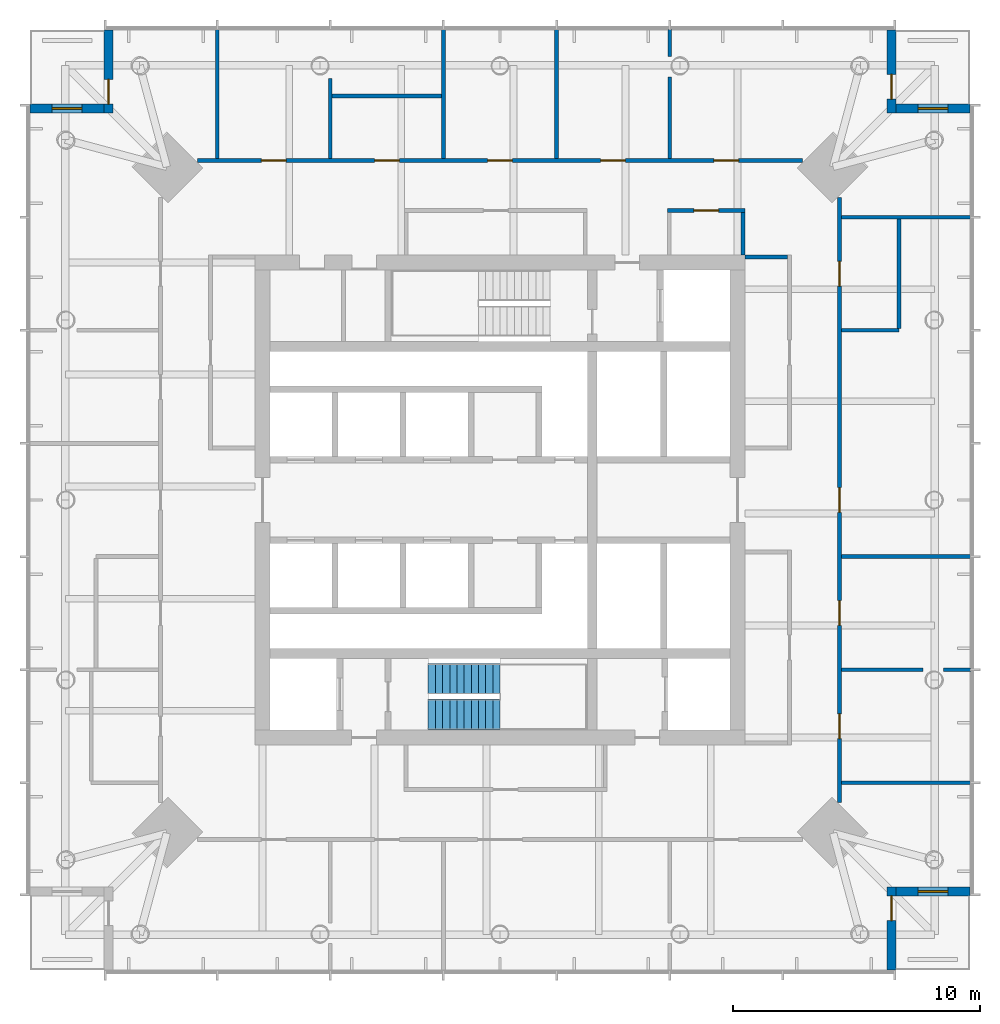
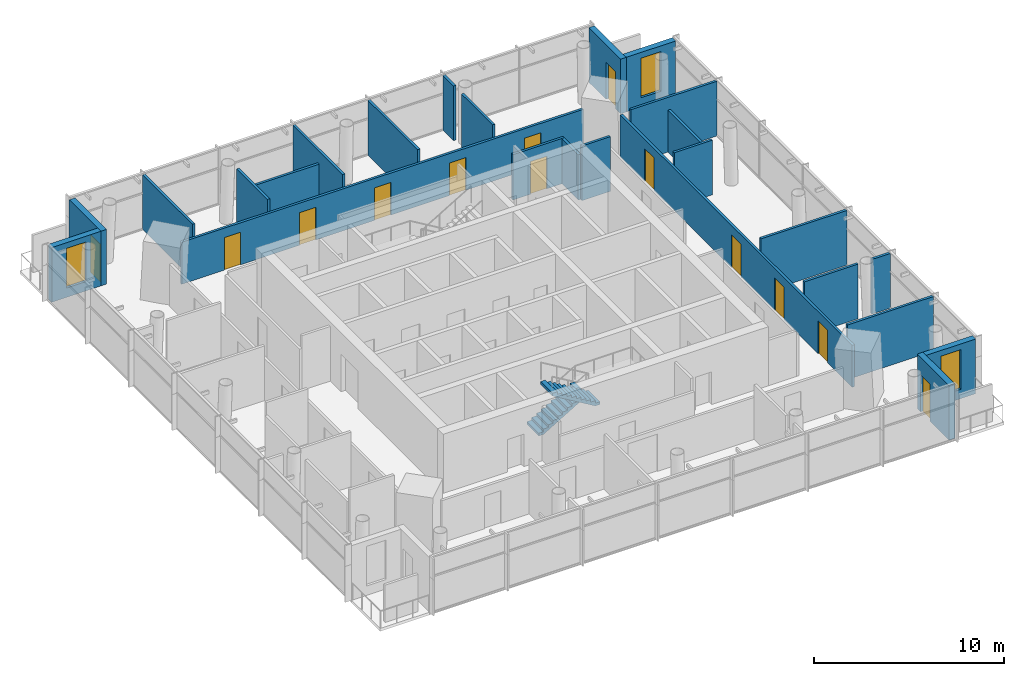
# One storey, part 8 of 10: 25 walls, 13 doors, 3 windows, 2 stair flights, 16 openings, 1 element without a shape of its own.
"""IFC4 building model written with IfcOpenShell, lengths in metres."""

from ifc_helpers import new_model, si_unit, direction, frame, frame_2d, origin, place, context, subcontext, project, spatial, polyline, rectangle, outline, extrude, material, layer, layer_set, type_object, element, fill, aggregate, save


model = new_model("IFC4")

# Units and contexts
model_context = context("Model", 3, precision=1e-05, world=origin(), true_north=direction((0.0, 1.0)))
body_context = subcontext(model_context, "Body", "Model", "MODEL_VIEW")
ifc_project = project(units=[si_unit("LENGTHUNIT", "METRE"), si_unit("AREAUNIT", "SQUARE_METRE"), si_unit("VOLUMEUNIT", "CUBIC_METRE"), si_unit("PLANEANGLEUNIT", "RADIAN"), si_unit("MASSUNIT", "GRAM", prefix="KILO")], contexts=[model_context])

# Site, building, storey
site_placement = place(None, origin())
site = spatial("IfcSite", under=ifc_project, at=site_placement, CompositionType="ELEMENT")
building_placement = place(site_placement, origin())
building = spatial("IfcBuilding", under=site, at=building_placement, Name="Ostroluk Exchange", CompositionType="ELEMENT")
storey_placement = place(building_placement, frame((0.0, 0.0, 222.39990234375)))
storey = spatial("IfcBuildingStorey", under=building, at=storey_placement, Name="L57", CompositionType="ELEMENT", Elevation=222.39990234375)

# Wall, opening, door
ifc_material_1 = material(Name="Limestone", Category="masonry")
ifc_layer_1 = layer(ifc_material_1, 0.35009765625)
ifc_layer_set_1 = layer_set([ifc_layer_1], Name="Limestone facade wall 350")
wall_type_1 = type_object("IfcWallType", Name="Limestone facade wall 350", PredefinedType="SOLIDWALL", material=ifc_layer_set_1)
wall_1_placement = place(storey_placement, frame((60.824951171875, 27.0, 0.0), z_axis=(0.0, 0.0, 1.0), x_axis=(0.0, 1.0, 0.0)))
wall_1 = element("IfcWall", 1, at=wall_1_placement, inside=storey, type_object=wall_type_1, Name="Office tower SE corner wall L57 a", PredefinedType="SOLIDWALL", context=body_context, shape_type="SweptSolid", body=[
    extrude(rectangle(XDim=3.35009765625, YDim=0.35009765625, at=frame_2d((1.675048828125, 0.0))), origin(), (0.0, 0.0, 1.0), 3.52001953125),
])
opening_1_placement = place(wall_1_placement, frame((2.0, 0.0, 0.0)))
opening_1 = element("IfcOpeningElement", 2, at=opening_1_placement, cuts=wall_1, Name="Opening D-B1", PredefinedType="OPENING", context=body_context, shape_type="SweptSolid", body=[
    extrude(rectangle(XDim=1.0, YDim=2.39990234375, at=frame_2d((0.5, 1.199951171875))), frame((0.0, 0.18505859375, 0.0), z_axis=(0.0, -1.0, 0.0), x_axis=(1.0, 0.0, 0.0)), (0.0, 0.0, 1.0), 0.3701171875),
])
ifc_material_2 = material(Name="Bronze framed glazed door", Category="aluminium")
door_type_1 = type_object("IfcDoorType", Name="Balcony door 1000 x 2400", OperationType="SINGLE_SWING_LEFT", PredefinedType="DOOR", material=ifc_material_2)
door_1_placement = place(opening_1_placement, origin())
door_1 = element("IfcDoor", 3, at=door_1_placement, inside=storey, type_object=door_type_1, Name="Office tower SE balcony door L57", OperationType="SINGLE_SWING_RIGHT", OverallHeight=2.39990234375, OverallWidth=1.0, PredefinedType="DOOR", context=body_context, shape_type="SweptSolid", body=[
    extrude(rectangle(XDim=1.0, YDim=2.39990234375, at=frame_2d((0.5, 1.199951171875))), frame((0.0, 0.02490234375, 0.0), z_axis=(0.0, -1.0, 0.0), x_axis=(1.0, 0.0, 0.0)), (0.0, 0.0, 1.0), 0.050048828125),
])
fill(opening_1, door_1)

# Wall, opening, window
wall_2_placement = place(storey_placement, frame((61.0, 30.175048828125, 0.0), z_axis=(0.0, 0.0, 1.0), x_axis=(1.0, 0.0, 0.0)))
wall_2 = element("IfcWall", 4, at=wall_2_placement, inside=storey, type_object=wall_type_1, Name="Office tower SE corner wall L57 b", PredefinedType="SOLIDWALL", context=body_context, shape_type="SweptSolid", body=[
    extrude(rectangle(XDim=3.0, YDim=0.35009765625, at=frame_2d((1.5, 0.0))), origin(), (0.0, 0.0, 1.0), 3.52001953125),
])
opening_2_placement = place(wall_2_placement, frame((0.89990234375, 0.0, 0.60009765625)))
opening_2 = element("IfcOpeningElement", 5, at=opening_2_placement, cuts=wall_2, Name="Opening WN-L1", PredefinedType="OPENING", context=body_context, shape_type="SweptSolid", body=[
    extrude(rectangle(XDim=1.199951171875, YDim=2.550048828125, at=frame_2d((0.60009765625, 1.27490234375))), frame((0.0, 0.18505859375, 0.0), z_axis=(0.0, -1.0, 0.0), x_axis=(1.0, 0.0, 0.0)), (0.0, 0.0, 1.0), 0.3701171875),
])
ifc_material_3 = material(Name="Laminated clear glass", Category="glass")
window_type = type_object("IfcWindowType", Name="Lancet window 1200 x 2550", PartitioningType="SINGLE_PANEL", PredefinedType="WINDOW", material=ifc_material_3)
window_1_placement = place(opening_2_placement, origin())
window_1 = element("IfcWindow", 6, at=window_1_placement, inside=storey, type_object=window_type, Name="Office tower SE lancet window L57", OverallHeight=2.550048828125, OverallWidth=1.199951171875, PartitioningType="SINGLE_PANEL", PredefinedType="WINDOW", context=body_context, shape_type="SweptSolid", body=[
    extrude(rectangle(XDim=1.199951171875, YDim=2.550048828125, at=frame_2d((0.60009765625, 1.27490234375))), frame((0.0, 0.030029296875, 0.0), z_axis=(0.0, -1.0, 0.0), x_axis=(1.0, 0.0, 0.0)), (0.0, 0.0, 1.0), 0.06005859375),
])
fill(opening_2, window_1)

# Wall, opening, door
wall_3_placement = place(storey_placement, frame((60.824951171875, 65.0, 0.0), z_axis=(0.0, 0.0, 1.0), x_axis=(0.0, -1.0, 0.0)))
wall_3 = element("IfcWall", 7, at=wall_3_placement, inside=storey, type_object=wall_type_1, Name="Office tower NE corner wall L57 a", PredefinedType="SOLIDWALL", context=body_context, shape_type="SweptSolid", body=[
    extrude(rectangle(XDim=3.35009765625, YDim=0.35009765625, at=frame_2d((1.675048828125, 0.0))), origin(), (0.0, 0.0, 1.0), 3.52001953125),
])
opening_3_placement = place(wall_3_placement, frame((1.800048828125, 0.0, 0.0)))
opening_3 = element("IfcOpeningElement", 8, at=opening_3_placement, cuts=wall_3, Name="Opening D-B1", PredefinedType="OPENING", context=body_context, shape_type="SweptSolid", body=[
    extrude(rectangle(XDim=1.0, YDim=2.39990234375, at=frame_2d((0.5, 1.199951171875))), frame((0.0, 0.18505859375, 0.0), z_axis=(0.0, -1.0, 0.0), x_axis=(1.0, 0.0, 0.0)), (0.0, 0.0, 1.0), 0.3701171875),
])
door_2_placement = place(opening_3_placement, origin())
door_2 = element("IfcDoor", 9, at=door_2_placement, inside=storey, type_object=door_type_1, Name="Office tower NE balcony door L57", OperationType="SINGLE_SWING_RIGHT", OverallHeight=2.39990234375, OverallWidth=1.0, PredefinedType="DOOR", context=body_context, shape_type="SweptSolid", body=[
    extrude(rectangle(XDim=1.0, YDim=2.39990234375, at=frame_2d((0.5, 1.199951171875))), frame((0.0, 0.02490234375, 0.0), z_axis=(0.0, -1.0, 0.0), x_axis=(1.0, 0.0, 0.0)), (0.0, 0.0, 1.0), 0.050048828125),
])
fill(opening_3, door_2)

# Wall, opening, window
wall_4_placement = place(storey_placement, frame((61.0, 61.824951171875, 0.0), z_axis=(0.0, 0.0, 1.0), x_axis=(1.0, 0.0, 0.0)))
wall_4 = element("IfcWall", 10, at=wall_4_placement, inside=storey, type_object=wall_type_1, Name="Office tower NE corner wall L57 b", PredefinedType="SOLIDWALL", context=body_context, shape_type="SweptSolid", body=[
    extrude(rectangle(XDim=3.0, YDim=0.35009765625, at=frame_2d((1.5, 0.0))), origin(), (0.0, 0.0, 1.0), 3.52001953125),
])
opening_4_placement = place(wall_4_placement, frame((0.89990234375, 0.0, 0.60009765625)))
opening_4 = element("IfcOpeningElement", 11, at=opening_4_placement, cuts=wall_4, Name="Opening WN-L1", PredefinedType="OPENING", context=body_context, shape_type="SweptSolid", body=[
    extrude(rectangle(XDim=1.199951171875, YDim=2.550048828125, at=frame_2d((0.60009765625, 1.27490234375))), frame((0.0, 0.18505859375, 0.0), z_axis=(0.0, -1.0, 0.0), x_axis=(1.0, 0.0, 0.0)), (0.0, 0.0, 1.0), 0.3701171875),
])
window_2_placement = place(opening_4_placement, origin())
window_2 = element("IfcWindow", 12, at=window_2_placement, inside=storey, type_object=window_type, Name="Office tower NE lancet window L57", OverallHeight=2.550048828125, OverallWidth=1.199951171875, PartitioningType="SINGLE_PANEL", PredefinedType="WINDOW", context=body_context, shape_type="SweptSolid", body=[
    extrude(rectangle(XDim=1.199951171875, YDim=2.550048828125, at=frame_2d((0.60009765625, 1.27490234375))), frame((0.0, 0.030029296875, 0.0), z_axis=(0.0, -1.0, 0.0), x_axis=(1.0, 0.0, 0.0)), (0.0, 0.0, 1.0), 0.06005859375),
])
fill(opening_4, window_2)

# Wall, opening, door
wall_5_placement = place(storey_placement, frame((29.175048828125, 65.0, 0.0), z_axis=(0.0, 0.0, 1.0), x_axis=(0.0, -1.0, 0.0)))
wall_5 = element("IfcWall", 13, at=wall_5_placement, inside=storey, type_object=wall_type_1, Name="Office tower NW corner wall L57 a", PredefinedType="SOLIDWALL", context=body_context, shape_type="SweptSolid", body=[
    extrude(rectangle(XDim=3.35009765625, YDim=0.35009765625, at=frame_2d((1.675048828125, 0.0))), origin(), (0.0, 0.0, 1.0), 3.52001953125),
])
opening_5_placement = place(wall_5_placement, frame((2.0, 0.0, 0.0)))
opening_5 = element("IfcOpeningElement", 14, at=opening_5_placement, cuts=wall_5, Name="Opening D-B1", PredefinedType="OPENING", context=body_context, shape_type="SweptSolid", body=[
    extrude(rectangle(XDim=1.0, YDim=2.39990234375, at=frame_2d((0.5, 1.199951171875))), frame((0.0, 0.18505859375, 0.0), z_axis=(0.0, -1.0, 0.0), x_axis=(1.0, 0.0, 0.0)), (0.0, 0.0, 1.0), 0.3701171875),
])
door_3_placement = place(opening_5_placement, origin())
door_3 = element("IfcDoor", 15, at=door_3_placement, inside=storey, type_object=door_type_1, Name="Office tower NW balcony door L57", OperationType="SINGLE_SWING_RIGHT", OverallHeight=2.39990234375, OverallWidth=1.0, PredefinedType="DOOR", context=body_context, shape_type="SweptSolid", body=[
    extrude(rectangle(XDim=1.0, YDim=2.39990234375, at=frame_2d((0.5, 1.199951171875))), frame((0.0, 0.02490234375, 0.0), z_axis=(0.0, -1.0, 0.0), x_axis=(1.0, 0.0, 0.0)), (0.0, 0.0, 1.0), 0.050048828125),
])
fill(opening_5, door_3)

# Wall, opening, window
wall_6_placement = place(storey_placement, frame((29.0, 61.824951171875, 0.0), z_axis=(0.0, 0.0, 1.0), x_axis=(-1.0, 0.0, 0.0)))
wall_6 = element("IfcWall", 16, at=wall_6_placement, inside=storey, type_object=wall_type_1, Name="Office tower NW corner wall L57 b", PredefinedType="SOLIDWALL", context=body_context, shape_type="SweptSolid", body=[
    extrude(rectangle(XDim=3.0, YDim=0.35009765625, at=frame_2d((1.5, 0.0))), origin(), (0.0, 0.0, 1.0), 3.52001953125),
])
opening_6_placement = place(wall_6_placement, frame((0.89990234375, 0.0, 0.60009765625)))
opening_6 = element("IfcOpeningElement", 17, at=opening_6_placement, cuts=wall_6, Name="Opening WN-L1", PredefinedType="OPENING", context=body_context, shape_type="SweptSolid", body=[
    extrude(rectangle(XDim=1.199951171875, YDim=2.550048828125, at=frame_2d((0.60009765625, 1.27490234375))), frame((0.0, 0.18505859375, 0.0), z_axis=(0.0, -1.0, 0.0), x_axis=(1.0, 0.0, 0.0)), (0.0, 0.0, 1.0), 0.3701171875),
])
window_3_placement = place(opening_6_placement, origin())
window_3 = element("IfcWindow", 18, at=window_3_placement, inside=storey, type_object=window_type, Name="Office tower NW lancet window L57", OverallHeight=2.550048828125, OverallWidth=1.199951171875, PartitioningType="SINGLE_PANEL", PredefinedType="WINDOW", context=body_context, shape_type="SweptSolid", body=[
    extrude(rectangle(XDim=1.199951171875, YDim=2.550048828125, at=frame_2d((0.60009765625, 1.27490234375))), frame((0.0, 0.030029296875, 0.0), z_axis=(0.0, -1.0, 0.0), x_axis=(1.0, 0.0, 0.0)), (0.0, 0.0, 1.0), 0.06005859375),
])
fill(opening_6, window_3)

# Wall
ifc_material_4 = material(Name="Gypsum plasterboard partition", Category="gypsum")
ifc_layer_2 = layer(ifc_material_4, 0.14990234375)
ifc_layer_set_2 = layer_set([ifc_layer_2], Name="Plasterboard partition 150")
wall_type_2 = type_object("IfcWallType", Name="Plasterboard partition 150", PredefinedType="PARTITIONING", material=ifc_layer_set_2)
wall_7_placement = place(storey_placement, frame((54.89990234375, 55.824951171875, 0.0), z_axis=(0.0, 0.0, 1.0), x_axis=(1.0, 0.0, 0.0)))
element("IfcWall", 19, at=wall_7_placement, inside=storey, type_object=wall_type_2, Name="Partition", PredefinedType="PARTITIONING", context=body_context, shape_type="SweptSolid", body=[
    extrude(rectangle(XDim=1.72509765625, YDim=0.14990234375, at=frame_2d((0.862548828125, 0.0))), origin(), (0.0, 0.0, 1.0), 3.52001953125),
])

# Wall, opening, door
wall_8_placement = place(storey_placement, frame((54.89990234375, 57.699951171875, 0.0), z_axis=(0.0, 0.0, 1.0), x_axis=(-1.0, 0.0, 0.0)))
wall_8 = element("IfcWall", 20, at=wall_8_placement, inside=storey, type_object=wall_type_2, Name="Partition", PredefinedType="PARTITIONING", context=body_context, shape_type="SweptSolid", body=[
    extrude(rectangle(XDim=3.135009765625, YDim=0.14990234375, at=frame_2d((1.5673828125, 0.0))), origin(), (0.0, 0.0, 1.0), 2.920166015625),
])
opening_7_placement = place(wall_8_placement, frame((1.0673828125, 0.0, 0.0)))
opening_7 = element("IfcOpeningElement", 21, at=opening_7_placement, cuts=wall_8, Name="Opening D-03", PredefinedType="OPENING", context=body_context, shape_type="SweptSolid", body=[
    extrude(rectangle(XDim=1.0, YDim=2.10009765625, at=frame_2d((0.5, 1.050048828125))), frame((0.0, 0.0849609375, 0.0), z_axis=(0.0, -1.0, 0.0), x_axis=(1.0, 0.0, 0.0)), (0.0, 0.0, 1.0), 0.169921875),
])
ifc_material_5 = material(Name="Timber", Category="wood")
door_type_2 = type_object("IfcDoorType", Name="Internal door 1000 x 2100", OperationType="SINGLE_SWING_LEFT", PredefinedType="DOOR", material=ifc_material_5)
door_4_placement = place(opening_7_placement, origin())
door_4 = element("IfcDoor", 22, at=door_4_placement, inside=storey, type_object=door_type_2, Name="Quiet room door", OperationType="SINGLE_SWING_RIGHT", OverallHeight=2.10009765625, OverallWidth=1.0, PredefinedType="DOOR", context=body_context, shape_type="SweptSolid", body=[
    extrude(rectangle(XDim=1.0, YDim=2.10009765625, at=frame_2d((0.5, 1.050048828125))), frame((0.0, 0.02490234375, 0.0), z_axis=(0.0, -1.0, 0.0), x_axis=(1.0, 0.0, 0.0)), (0.0, 0.0, 1.0), 0.050048828125),
])
fill(opening_7, door_4)

# Walls
wall_9_placement = place(storey_placement, frame((54.824951171875, 55.89990234375, 0.0), z_axis=(0.0, 0.0, 1.0), x_axis=(0.0, 1.0, 0.0)))
element("IfcWall", 23, at=wall_9_placement, inside=storey, type_object=wall_type_2, Name="Partition", PredefinedType="PARTITIONING", context=body_context, shape_type="SweptSolid", body=[
    extrude(rectangle(XDim=1.72509765625, YDim=0.14990234375, at=frame_2d((0.862548828125, 0.0))), origin(), (0.0, 0.0, 1.0), 2.920166015625),
])
wall_10_placement = place(storey_placement, frame((61.125, 52.93212890625, 0.0), z_axis=(0.0, 0.0, 1.0), x_axis=(0.0, 1.0, 0.0)))
element("IfcWall", 24, at=wall_10_placement, inside=storey, type_object=wall_type_2, Name="Partition", PredefinedType="PARTITIONING", context=body_context, shape_type="SweptSolid", body=[
    extrude(rectangle(XDim=4.42138671875, YDim=0.14990234375, at=frame_2d((2.210693359375, 0.0))), origin(), (0.0, 0.0, 1.0), 2.7060546875),
])

# Wall, openings, doors
wall_11_placement = place(storey_placement, frame((58.72509765625, 33.76416015625, 0.0), z_axis=(0.0, 0.0, 1.0), x_axis=(0.0, 1.0, 0.0)))
wall_11 = element("IfcWall", 25, at=wall_11_placement, inside=storey, type_object=wall_type_2, Name="Partition", PredefinedType="PARTITIONING", context=body_context, shape_type="SweptSolid", body=[
    extrude(rectangle(XDim=24.4716796875, YDim=0.14990234375, at=frame_2d((12.23583984375, 0.0))), origin(), (0.0, 0.0, 1.0), 2.7060546875),
])
opening_8_placement = place(wall_11_placement, frame((2.593017578125, 0.0, 0.0)))
opening_8 = element("IfcOpeningElement", 26, at=opening_8_placement, cuts=wall_11, Name="Opening D-03", PredefinedType="OPENING", context=body_context, shape_type="SweptSolid", body=[
    extrude(rectangle(XDim=1.0, YDim=2.10009765625, at=frame_2d((0.5, 1.050048828125))), frame((0.0, 0.0849609375, 0.0), z_axis=(0.0, -1.0, 0.0), x_axis=(1.0, 0.0, 0.0)), (0.0, 0.0, 1.0), 0.169921875),
])
opening_9_placement = place(wall_11_placement, frame((7.164306640625, 0.0, 0.0)))
opening_9 = element("IfcOpeningElement", 27, at=opening_9_placement, cuts=wall_11, Name="Opening D-03", PredefinedType="OPENING", context=body_context, shape_type="SweptSolid", body=[
    extrude(rectangle(XDim=1.0, YDim=2.10009765625, at=frame_2d((0.5, 1.050048828125))), frame((0.0, 0.0849609375, 0.0), z_axis=(0.0, -1.0, 0.0), x_axis=(1.0, 0.0, 0.0)), (0.0, 0.0, 1.0), 0.169921875),
])
opening_10_placement = place(wall_11_placement, frame((11.73583984375, 0.0, 0.0)))
opening_10 = element("IfcOpeningElement", 28, at=opening_10_placement, cuts=wall_11, Name="Opening D-03", PredefinedType="OPENING", context=body_context, shape_type="SweptSolid", body=[
    extrude(rectangle(XDim=1.0, YDim=2.10009765625, at=frame_2d((0.5, 1.050048828125))), frame((0.0, 0.0849609375, 0.0), z_axis=(0.0, -1.0, 0.0), x_axis=(1.0, 0.0, 0.0)), (0.0, 0.0, 1.0), 0.169921875),
])
opening_11_placement = place(wall_11_placement, frame((20.878662109375, 0.0, 0.0)))
opening_11 = element("IfcOpeningElement", 29, at=opening_11_placement, cuts=wall_11, Name="Opening D-03", PredefinedType="OPENING", context=body_context, shape_type="SweptSolid", body=[
    extrude(rectangle(XDim=1.0, YDim=2.10009765625, at=frame_2d((0.5, 1.050048828125))), frame((0.0, 0.0849609375, 0.0), z_axis=(0.0, -1.0, 0.0), x_axis=(1.0, 0.0, 0.0)), (0.0, 0.0, 1.0), 0.169921875),
])
door_5_placement = place(opening_8_placement, origin())
door_5 = element("IfcDoor", 30, at=door_5_placement, inside=storey, type_object=door_type_2, Name="Office door", OperationType="SINGLE_SWING_LEFT", OverallHeight=2.10009765625, OverallWidth=1.0, PredefinedType="DOOR", context=body_context, shape_type="SweptSolid", body=[
    extrude(rectangle(XDim=1.0, YDim=2.10009765625, at=frame_2d((0.5, 1.050048828125))), frame((0.0, 0.02490234375, 0.0), z_axis=(0.0, -1.0, 0.0), x_axis=(1.0, 0.0, 0.0)), (0.0, 0.0, 1.0), 0.050048828125),
])
fill(opening_8, door_5)
door_6_placement = place(opening_9_placement, origin())
door_6 = element("IfcDoor", 31, at=door_6_placement, inside=storey, type_object=door_type_2, Name="Office door", OperationType="SINGLE_SWING_LEFT", OverallHeight=2.10009765625, OverallWidth=1.0, PredefinedType="DOOR", context=body_context, shape_type="SweptSolid", body=[
    extrude(rectangle(XDim=1.0, YDim=2.10009765625, at=frame_2d((0.5, 1.050048828125))), frame((0.0, 0.02490234375, 0.0), z_axis=(0.0, -1.0, 0.0), x_axis=(1.0, 0.0, 0.0)), (0.0, 0.0, 1.0), 0.050048828125),
])
fill(opening_9, door_6)
door_7_placement = place(opening_10_placement, origin())
door_7 = element("IfcDoor", 32, at=door_7_placement, inside=storey, type_object=door_type_2, Name="Office door", OperationType="SINGLE_SWING_LEFT", OverallHeight=2.10009765625, OverallWidth=1.0, PredefinedType="DOOR", context=body_context, shape_type="SweptSolid", body=[
    extrude(rectangle(XDim=1.0, YDim=2.10009765625, at=frame_2d((0.5, 1.050048828125))), frame((0.0, 0.02490234375, 0.0), z_axis=(0.0, -1.0, 0.0), x_axis=(1.0, 0.0, 0.0)), (0.0, 0.0, 1.0), 0.050048828125),
])
fill(opening_10, door_7)
door_8_placement = place(opening_11_placement, origin())
door_8 = element("IfcDoor", 33, at=door_8_placement, inside=storey, type_object=door_type_2, Name="Print and store room door", OperationType="SINGLE_SWING_RIGHT", OverallHeight=2.10009765625, OverallWidth=1.0, PredefinedType="DOOR", context=body_context, shape_type="SweptSolid", body=[
    extrude(rectangle(XDim=1.0, YDim=2.10009765625, at=frame_2d((0.5, 1.050048828125))), frame((0.0, 0.02490234375, 0.0), z_axis=(0.0, -1.0, 0.0), x_axis=(1.0, 0.0, 0.0)), (0.0, 0.0, 1.0), 0.050048828125),
])
fill(opening_11, door_8)

# Walls
wall_12_placement = place(storey_placement, frame((58.800048828125, 34.571533203125, 0.0), z_axis=(0.0, 0.0, 1.0), x_axis=(1.0, 0.0, 0.0)))
element("IfcWall", 34, at=wall_12_placement, inside=storey, type_object=wall_type_2, Name="Partition", PredefinedType="PARTITIONING", context=body_context, shape_type="SweptSolid", body=[
    extrude(rectangle(XDim=5.239990234375, YDim=0.14990234375, at=frame_2d((2.6201171875, 0.0))), origin(), (0.0, 0.0, 1.0), 3.52001953125),
])
wall_13_placement = place(storey_placement, frame((58.800048828125, 39.142822265625, 0.0), z_axis=(0.0, 0.0, 1.0), x_axis=(1.0, 0.0, 0.0)))
element("IfcWall", 35, at=wall_13_placement, inside=storey, type_object=wall_type_2, Name="Partition", PredefinedType="PARTITIONING", context=body_context, shape_type="SweptSolid", body=[
    extrude(rectangle(XDim=3.287353515625, YDim=0.14990234375, at=frame_2d((1.6435546875, 0.0))), origin(), (0.0, 0.0, 1.0), 3.52001953125),
])
wall_14_placement = place(storey_placement, frame((62.919677734375, 39.142822265625, 0.0), z_axis=(0.0, 0.0, 1.0), x_axis=(1.0, 0.0, 0.0)))
element("IfcWall", 36, at=wall_14_placement, inside=storey, type_object=wall_type_2, Name="Partition", PredefinedType="PARTITIONING", context=body_context, shape_type="SweptSolid", body=[
    extrude(rectangle(XDim=1.120361328125, YDim=0.14990234375, at=frame_2d((0.56005859375, 0.0))), origin(), (0.0, 0.0, 1.0), 3.52001953125),
])
wall_15_placement = place(storey_placement, frame((58.800048828125, 43.71435546875, 0.0), z_axis=(0.0, 0.0, 1.0), x_axis=(1.0, 0.0, 0.0)))
element("IfcWall", 37, at=wall_15_placement, inside=storey, type_object=wall_type_2, Name="Partition", PredefinedType="PARTITIONING", context=body_context, shape_type="SweptSolid", body=[
    extrude(rectangle(XDim=5.239990234375, YDim=0.14990234375, at=frame_2d((2.6201171875, 0.0))), origin(), (0.0, 0.0, 1.0), 3.52001953125),
])
wall_16_placement = place(storey_placement, frame((58.800048828125, 52.857177734375, 0.0), z_axis=(0.0, 0.0, 1.0), x_axis=(1.0, 0.0, 0.0)))
element("IfcWall", 38, at=wall_16_placement, inside=storey, type_object=wall_type_2, Name="Partition", PredefinedType="PARTITIONING", context=body_context, shape_type="SweptSolid", body=[
    extrude(rectangle(XDim=2.324951171875, YDim=0.14990234375, at=frame_2d((1.16259765625, 0.0))), origin(), (0.0, 0.0, 1.0), 3.52001953125),
])
wall_17_placement = place(storey_placement, frame((58.800048828125, 57.428466796875, 0.0), z_axis=(0.0, 0.0, 1.0), x_axis=(1.0, 0.0, 0.0)))
element("IfcWall", 39, at=wall_17_placement, inside=storey, type_object=wall_type_2, Name="Partition", PredefinedType="PARTITIONING", context=body_context, shape_type="SweptSolid", body=[
    extrude(rectangle(XDim=5.239990234375, YDim=0.14990234375, at=frame_2d((2.6201171875, 0.0))), origin(), (0.0, 0.0, 1.0), 3.52001953125),
])
wall_18_placement = place(storey_placement, frame((42.639404296875, 62.324951171875, 0.0), z_axis=(0.0, 0.0, 1.0), x_axis=(-1.0, 0.0, 0.0)))
element("IfcWall", 40, at=wall_18_placement, inside=storey, type_object=wall_type_2, Name="Partition", PredefinedType="PARTITIONING", context=body_context, shape_type="SweptSolid", body=[
    extrude(rectangle(XDim=4.421630859375, YDim=0.14990234375, at=frame_2d((2.2109375, 0.0))), origin(), (0.0, 0.0, 1.0), 2.7060546875),
])

# Wall, openings, doors
wall_19_placement = place(storey_placement, frame((57.23583984375, 59.72509765625, 0.0), z_axis=(0.0, 0.0, 1.0), x_axis=(-1.0, 0.0, 0.0)))
wall_19 = element("IfcWall", 41, at=wall_19_placement, inside=storey, type_object=wall_type_2, Name="Partition", PredefinedType="PARTITIONING", context=body_context, shape_type="SweptSolid", body=[
    extrude(rectangle(XDim=24.4716796875, YDim=0.14990234375, at=frame_2d((12.23583984375, 0.0))), origin(), (0.0, 0.0, 1.0), 2.7060546875),
])
opening_12_placement = place(wall_19_placement, frame((2.593017578125, 0.0, 0.0)))
opening_12 = element("IfcOpeningElement", 42, at=opening_12_placement, cuts=wall_19, Name="Opening D-03", PredefinedType="OPENING", context=body_context, shape_type="SweptSolid", body=[
    extrude(rectangle(XDim=1.0, YDim=2.10009765625, at=frame_2d((0.5, 1.050048828125))), frame((0.0, 0.0849609375, 0.0), z_axis=(0.0, -1.0, 0.0), x_axis=(1.0, 0.0, 0.0)), (0.0, 0.0, 1.0), 0.169921875),
])
opening_13_placement = place(wall_19_placement, frame((7.164306640625, 0.0, 0.0)))
opening_13 = element("IfcOpeningElement", 43, at=opening_13_placement, cuts=wall_19, Name="Opening D-03", PredefinedType="OPENING", context=body_context, shape_type="SweptSolid", body=[
    extrude(rectangle(XDim=1.0, YDim=2.10009765625, at=frame_2d((0.5, 1.050048828125))), frame((0.0, 0.0849609375, 0.0), z_axis=(0.0, -1.0, 0.0), x_axis=(1.0, 0.0, 0.0)), (0.0, 0.0, 1.0), 0.169921875),
])
opening_14_placement = place(wall_19_placement, frame((11.73583984375, 0.0, 0.0)))
opening_14 = element("IfcOpeningElement", 44, at=opening_14_placement, cuts=wall_19, Name="Opening D-03", PredefinedType="OPENING", context=body_context, shape_type="SweptSolid", body=[
    extrude(rectangle(XDim=1.0, YDim=2.10009765625, at=frame_2d((0.5, 1.050048828125))), frame((0.0, 0.0849609375, 0.0), z_axis=(0.0, -1.0, 0.0), x_axis=(1.0, 0.0, 0.0)), (0.0, 0.0, 1.0), 0.169921875),
])
opening_15_placement = place(wall_19_placement, frame((16.30712890625, 0.0, 0.0)))
opening_15 = element("IfcOpeningElement", 45, at=opening_15_placement, cuts=wall_19, Name="Opening D-03", PredefinedType="OPENING", context=body_context, shape_type="SweptSolid", body=[
    extrude(rectangle(XDim=1.0, YDim=2.10009765625, at=frame_2d((0.5, 1.050048828125))), frame((0.0, 0.0849609375, 0.0), z_axis=(0.0, -1.0, 0.0), x_axis=(1.0, 0.0, 0.0)), (0.0, 0.0, 1.0), 0.169921875),
])
opening_16_placement = place(wall_19_placement, frame((20.878662109375, 0.0, 0.0)))
opening_16 = element("IfcOpeningElement", 46, at=opening_16_placement, cuts=wall_19, Name="Opening D-03", PredefinedType="OPENING", context=body_context, shape_type="SweptSolid", body=[
    extrude(rectangle(XDim=1.0, YDim=2.10009765625, at=frame_2d((0.5, 1.050048828125))), frame((0.0, 0.0849609375, 0.0), z_axis=(0.0, -1.0, 0.0), x_axis=(1.0, 0.0, 0.0)), (0.0, 0.0, 1.0), 0.169921875),
])
door_9_placement = place(opening_12_placement, origin())
door_9 = element("IfcDoor", 47, at=door_9_placement, inside=storey, type_object=door_type_2, Name="Office suite door", OperationType="SINGLE_SWING_LEFT", OverallHeight=2.10009765625, OverallWidth=1.0, PredefinedType="DOOR", context=body_context, shape_type="SweptSolid", body=[
    extrude(rectangle(XDim=1.0, YDim=2.10009765625, at=frame_2d((0.5, 1.050048828125))), frame((0.0, 0.02490234375, 0.0), z_axis=(0.0, -1.0, 0.0), x_axis=(1.0, 0.0, 0.0)), (0.0, 0.0, 1.0), 0.050048828125),
])
fill(opening_12, door_9)
door_10_placement = place(opening_13_placement, origin())
door_10 = element("IfcDoor", 48, at=door_10_placement, inside=storey, type_object=door_type_2, Name="Meeting room door", OperationType="SINGLE_SWING_LEFT", OverallHeight=2.10009765625, OverallWidth=1.0, PredefinedType="DOOR", context=body_context, shape_type="SweptSolid", body=[
    extrude(rectangle(XDim=1.0, YDim=2.10009765625, at=frame_2d((0.5, 1.050048828125))), frame((0.0, 0.02490234375, 0.0), z_axis=(0.0, -1.0, 0.0), x_axis=(1.0, 0.0, 0.0)), (0.0, 0.0, 1.0), 0.050048828125),
])
fill(opening_13, door_10)
door_11_placement = place(opening_14_placement, origin())
door_11 = element("IfcDoor", 49, at=door_11_placement, inside=storey, type_object=door_type_2, Name="Focus room door", OperationType="SINGLE_SWING_LEFT", OverallHeight=2.10009765625, OverallWidth=1.0, PredefinedType="DOOR", context=body_context, shape_type="SweptSolid", body=[
    extrude(rectangle(XDim=1.0, YDim=2.10009765625, at=frame_2d((0.5, 1.050048828125))), frame((0.0, 0.02490234375, 0.0), z_axis=(0.0, -1.0, 0.0), x_axis=(1.0, 0.0, 0.0)), (0.0, 0.0, 1.0), 0.050048828125),
])
fill(opening_14, door_11)
door_12_placement = place(opening_15_placement, origin())
door_12 = element("IfcDoor", 50, at=door_12_placement, inside=storey, type_object=door_type_2, Name="Pantry door", OperationType="SINGLE_SWING_RIGHT", OverallHeight=2.10009765625, OverallWidth=1.0, PredefinedType="DOOR", context=body_context, shape_type="SweptSolid", body=[
    extrude(rectangle(XDim=1.0, YDim=2.10009765625, at=frame_2d((0.5, 1.050048828125))), frame((0.0, 0.02490234375, 0.0), z_axis=(0.0, -1.0, 0.0), x_axis=(1.0, 0.0, 0.0)), (0.0, 0.0, 1.0), 0.050048828125),
])
fill(opening_15, door_12)
door_13_placement = place(opening_16_placement, origin())
door_13 = element("IfcDoor", 51, at=door_13_placement, inside=storey, type_object=door_type_2, Name="Office door", OperationType="SINGLE_SWING_RIGHT", OverallHeight=2.10009765625, OverallWidth=1.0, PredefinedType="DOOR", context=body_context, shape_type="SweptSolid", body=[
    extrude(rectangle(XDim=1.0, YDim=2.10009765625, at=frame_2d((0.5, 1.050048828125))), frame((0.0, 0.02490234375, 0.0), z_axis=(0.0, -1.0, 0.0), x_axis=(1.0, 0.0, 0.0)), (0.0, 0.0, 1.0), 0.050048828125),
])
fill(opening_16, door_13)

# Walls
wall_20_placement = place(storey_placement, frame((51.857177734375, 59.800048828125, 0.0), z_axis=(0.0, 0.0, 1.0), x_axis=(0.0, 1.0, 0.0)))
element("IfcWall", 52, at=wall_20_placement, inside=storey, type_object=wall_type_2, Name="Partition", PredefinedType="PARTITIONING", context=body_context, shape_type="SweptSolid", body=[
    extrude(rectangle(XDim=3.287353515625, YDim=0.14990234375, at=frame_2d((1.6435546875, 0.0))), origin(), (0.0, 0.0, 1.0), 3.52001953125),
])
wall_21_placement = place(storey_placement, frame((51.857177734375, 63.919677734375, 0.0), z_axis=(0.0, 0.0, 1.0), x_axis=(0.0, 1.0, 0.0)))
element("IfcWall", 53, at=wall_21_placement, inside=storey, type_object=wall_type_2, Name="Partition", PredefinedType="PARTITIONING", context=body_context, shape_type="SweptSolid", body=[
    extrude(rectangle(XDim=1.120361328125, YDim=0.14990234375, at=frame_2d((0.56005859375, 0.0))), origin(), (0.0, 0.0, 1.0), 3.52001953125),
])
for number, where, z_axis, x_axis, name in (
    (54, (47.28564453125, 59.800048828125, 0.0), (0.0, 0.0, 1.0), (0.0, 1.0, 0.0), "Partition"),
    (55, (42.71435546875, 59.800048828125, 0.0), (0.0, 0.0, 1.0), (0.0, 1.0, 0.0), "Partition"),
):
    element("IfcWall", number, at=place(storey_placement, frame(where, z_axis=z_axis, x_axis=x_axis)), inside=storey, type_object=wall_type_2, Name=name, PredefinedType="PARTITIONING", context=body_context, shape_type="SweptSolid", body=[
        extrude(rectangle(XDim=5.239990234375, YDim=0.14990234375, at=frame_2d((2.6201171875, 0.0))), origin(), (0.0, 0.0, 1.0), 3.52001953125),
    ])
wall_22_placement = place(storey_placement, frame((38.142822265625, 59.800048828125, 0.0), z_axis=(0.0, 0.0, 1.0), x_axis=(0.0, 1.0, 0.0)))
element("IfcWall", 56, at=wall_22_placement, inside=storey, type_object=wall_type_2, Name="Partition", PredefinedType="PARTITIONING", context=body_context, shape_type="SweptSolid", body=[
    extrude(rectangle(XDim=3.244873046875, YDim=0.14990234375, at=frame_2d((1.62255859375, 0.0))), origin(), (0.0, 0.0, 1.0), 3.52001953125),
])
wall_23_placement = place(storey_placement, frame((33.571533203125, 59.800048828125, 0.0), z_axis=(0.0, 0.0, 1.0), x_axis=(0.0, 1.0, 0.0)))
element("IfcWall", 57, at=wall_23_placement, inside=storey, type_object=wall_type_2, Name="Partition", PredefinedType="PARTITIONING", context=body_context, shape_type="SweptSolid", body=[
    extrude(rectangle(XDim=5.239990234375, YDim=0.14990234375, at=frame_2d((2.6201171875, 0.0))), origin(), (0.0, 0.0, 1.0), 3.52001953125),
])

# Stair, stair flights
ifc_material_6 = material(Name="Concrete C30/37", Category="concrete")
stair_type = type_object("IfcStairType", Name="Exit stair half turn 3800", PredefinedType="HALF_TURN_STAIR", material=ifc_material_6)
stair_placement = place(storey_placement, origin())
stair = element("IfcStair", 58, at=stair_placement, inside=storey, type_object=stair_type, Name="Stair T1-S1 L57", PredefinedType="HALF_TURN_STAIR")
ifc_material_7 = material(Name="Concrete C30/37", Category="concrete")
stair_flight_type = type_object("IfcStairFlightType", Name="Stair flight 11 risers 172.7 x 290", PredefinedType="STRAIGHT", material=ifc_material_7)
stair_flight_1_placement = place(storey_placement, frame((42.10009765625, 38.77490234375, 0.0), z_axis=(0.0, 0.0, 1.0), x_axis=(1.0, 0.0, 0.0)))
stair_flight_1 = element("IfcStairFlight", 59, at=stair_flight_1_placement, type_object=stair_flight_type, Name="T1-S1 flight 1", NumberOfRisers=11, NumberOfTreads=10, PredefinedType="STRAIGHT", RiserHeight=0.172727273, TreadLength=0.29, context=body_context, shape_type="SweptSolid", body=[
    extrude(outline(polyline([(0.0, 0.0), (0.0, 0.172607421875), (0.2900390625, 0.172607421875), (0.2900390625, 0.345458984375), (0.580078125, 0.345458984375), (0.580078125, 0.51806640625), (0.8701171875, 0.51806640625), (0.8701171875, 0.69091796875), (1.159912109375, 0.69091796875), (1.159912109375, 0.863525390625), (1.449951171875, 0.863525390625), (1.449951171875, 1.036376953125), (1.739990234375, 1.036376953125), (1.739990234375, 1.208984375), (2.030029296875, 1.208984375), (2.030029296875, 1.3818359375), (2.320068359375, 1.3818359375), (2.320068359375, 1.554443359375), (2.610107421875, 1.554443359375), (2.610107421875, 1.727294921875), (2.89990234375, 1.727294921875), (2.89990234375, 1.89990234375), (2.89990234375, 1.552734375), (0.29296875, 0.0), (0.0, 0.0)])), frame((0.0, 0.625, 0.0), z_axis=(0.0, -1.0, 0.0), x_axis=(1.0, 0.0, 0.0)), (0.0, 0.0, 1.0), 1.25),
])
stair_flight_2_placement = place(storey_placement, frame((45.0, 37.324951171875, 1.900146484375), z_axis=(0.0, 0.0, 1.0), x_axis=(-1.0, 0.0, 0.0)))
stair_flight_2 = element("IfcStairFlight", 60, at=stair_flight_2_placement, type_object=stair_flight_type, Name="T1-S1 flight 2", NumberOfRisers=11, NumberOfTreads=10, PredefinedType="STRAIGHT", RiserHeight=0.172727273, TreadLength=0.29, context=body_context, shape_type="SweptSolid", body=[
    extrude(outline(polyline([(0.0, 0.0), (0.0, 0.172607421875), (0.2900390625, 0.172607421875), (0.2900390625, 0.345458984375), (0.580078125, 0.345458984375), (0.580078125, 0.51806640625), (0.8701171875, 0.51806640625), (0.8701171875, 0.69091796875), (1.159912109375, 0.69091796875), (1.159912109375, 0.863525390625), (1.449951171875, 0.863525390625), (1.449951171875, 1.036376953125), (1.739990234375, 1.036376953125), (1.739990234375, 1.208984375), (2.030029296875, 1.208984375), (2.030029296875, 1.3818359375), (2.320068359375, 1.3818359375), (2.320068359375, 1.554443359375), (2.610107421875, 1.554443359375), (2.610107421875, 1.727294921875), (2.89990234375, 1.727294921875), (2.89990234375, 1.89990234375), (2.89990234375, 1.552734375), (0.29296875, 0.0), (0.0, 0.0)])), frame((0.0, 0.625, 0.0), z_axis=(0.0, -1.0, 0.0), x_axis=(1.0, 0.0, 0.0)), (0.0, 0.0, 1.0), 1.25),
])
aggregate(stair, [stair_flight_1, stair_flight_2])

save(model, "model.ifc")
